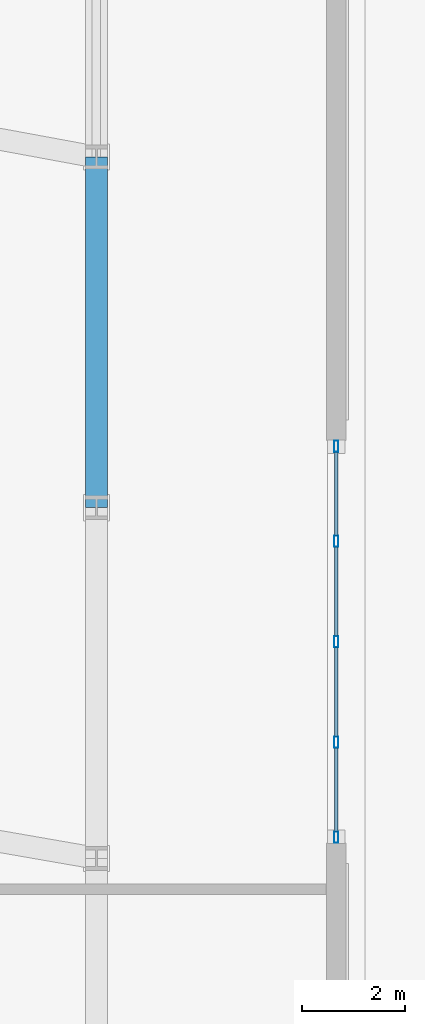
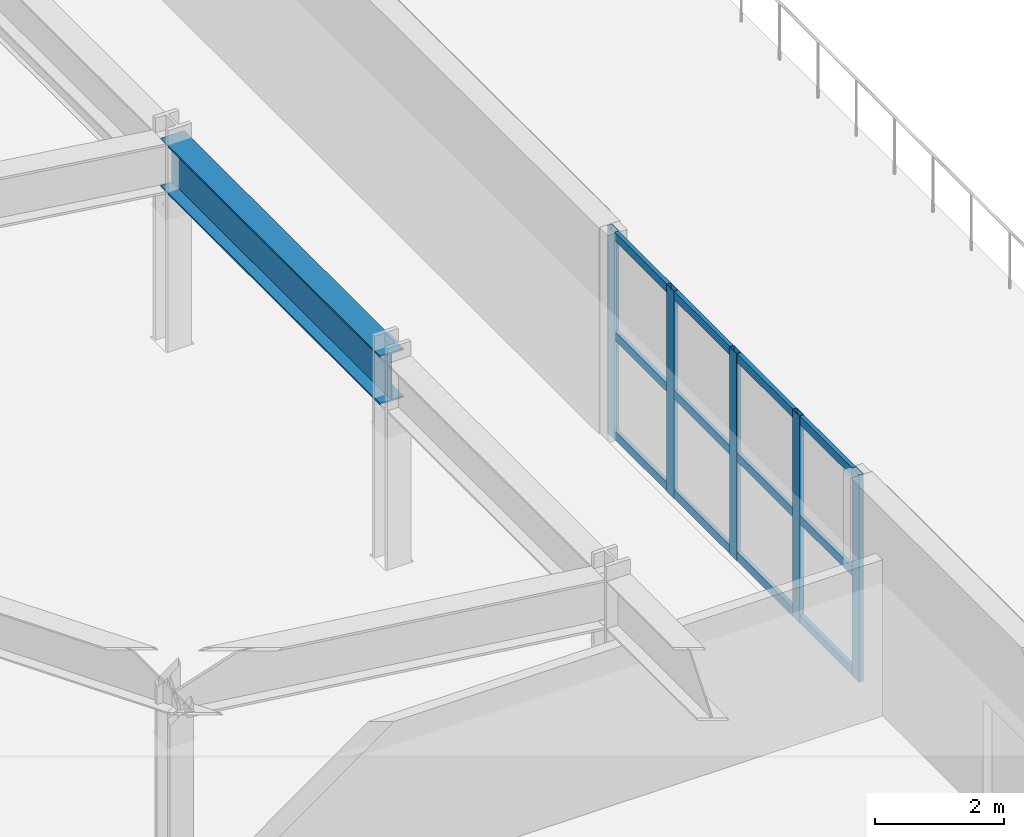
# One storey, part 6 of 16: 17 members, 1 beam, 1 element without a shape of its own.
"""IFC4 building model written with IfcOpenShell, lengths in metres."""

from ifc_helpers import new_model, si_unit, direction, frame, origin, origin_2d, place, context, subcontext, project, spatial, hollow_rectangle, i_section, extrude, material, layer, layer_set, material_profile, profile_set, type_object, element, aggregate, save


model = new_model("IFC4")

# Units and contexts
model_context = context("Model", 3, precision=1e-05, world=origin(), true_north=direction((0.0, 1.0)))
body_context = subcontext(model_context, "Body", "Model", "MODEL_VIEW")
ifc_project = project(units=[si_unit("LENGTHUNIT", "METRE"), si_unit("AREAUNIT", "SQUARE_METRE"), si_unit("VOLUMEUNIT", "CUBIC_METRE"), si_unit("PLANEANGLEUNIT", "RADIAN"), si_unit("MASSUNIT", "GRAM", prefix="KILO")], contexts=[model_context])

# Site, building, storey
site_placement = place(None, origin())
site = spatial("IfcSite", under=ifc_project, at=site_placement, CompositionType="ELEMENT")
building_placement = place(site_placement, origin())
building = spatial("IfcBuilding", under=site, at=building_placement, Name="Oramaril Tower", CompositionType="ELEMENT")
storey_placement = place(building_placement, frame((0.0, 0.0, 9.89990234375)))
storey = spatial("IfcBuildingStorey", under=building, at=storey_placement, Name="L02", CompositionType="ELEMENT", Elevation=9.89990234375)

# Beam
ifc_material_1 = material(Name="Steel ASTM A572 Gr 50", Category="steel")
ifc_material_profile_1 = material_profile(ifc_material_1, i_section(OverallWidth=0.4189453125, OverallDepth=0.927001953125, WebThickness=0.019287109375, FlangeThickness=0.031982421875, at=origin_2d()), Name="W36X231")
ifc_profile_set_1 = profile_set([ifc_material_profile_1], Name="Steel ASTM A572 Gr 50")
beam_type = type_object("IfcBeamType", Name="BT-PG2", PredefinedType="BEAM", material=ifc_profile_set_1)
beam_placement = place(storey_placement, frame((66.39990234375, 25.39990234375, 3.45654296875), z_axis=(0.0, 1.0, 0.0), x_axis=(-1.0, 0.0, 0.0)))
element("IfcBeam", 1, at=beam_placement, inside=storey, type_object=beam_type, Name="L02 Podium Perimeter Girder 10", PredefinedType="BEAM", context=body_context, shape_type="SweptSolid", body=[
    extrude(i_section(OverallWidth=0.4189453125, OverallDepth=0.927001953125, WebThickness=0.019287109375, FlangeThickness=0.031982421875, at=origin_2d()), origin(), (0.0, 0.0, 1.0), 6.800048828125),
])

# Curtain wall, members
ifc_material_2 = material(Name="Anodised Aluminium 6063-T6", Category="aluminium")
ifc_layer = layer(ifc_material_2, 0.219970703125)
ifc_layer_set = layer_set([ifc_layer], Name="CWT-SYS1")
curtain_wall_type = type_object("IfcCurtainWallType", Name="CWT-SYS1", PredefinedType="NOTDEFINED", material=ifc_layer_set)
curtain_wall_placement = place(storey_placement, origin())
curtain_wall = element("IfcCurtainWall", 2, at=curtain_wall_placement, inside=storey, type_object=curtain_wall_type, Name="L02 Unitised Curtain Wall CW-1", PredefinedType="NOTDEFINED")
ifc_material_3 = material(Name="Anodised Aluminium 6063-T6", Category="aluminium")
ifc_material_profile_2 = material_profile(ifc_material_3, hollow_rectangle(XDim=0.080078125, YDim=0.219970703125, WallThickness=0.00390625, at=origin_2d()), Name="CWM220X80")
ifc_profile_set_2 = profile_set([ifc_material_profile_2], Name="Anodised Aluminium 6063-T6")
member_type_1 = type_object("IfcMemberType", Name="MT-CWM1", PredefinedType="MULLION", material=ifc_profile_set_2)
member_1_placement = place(storey_placement, frame((71.050048828125, 19.010009765625, 0.0), z_axis=(0.0, 0.0, 1.0), x_axis=(-1.0, 0.0, 0.0)))
member_1 = element("IfcMember", 3, at=member_1_placement, type_object=member_type_1, Name="CW-1 mullion 1", PredefinedType="MULLION", context=body_context, shape_type="SweptSolid", body=[
    extrude(hollow_rectangle(XDim=0.080078125, YDim=0.219970703125, WallThickness=0.00390625, at=origin_2d()), origin(), (0.0, 0.0, 1.0), 3.920166015625),
])
member_2_placement = place(storey_placement, frame((71.050048828125, 20.85009765625, 0.0), z_axis=(0.0, 0.0, 1.0), x_axis=(-1.0, 0.0, 0.0)))
member_2 = element("IfcMember", 4, at=member_2_placement, type_object=member_type_1, Name="CW-1 mullion 2", PredefinedType="MULLION", context=body_context, shape_type="SweptSolid", body=[
    extrude(hollow_rectangle(XDim=0.080078125, YDim=0.219970703125, WallThickness=0.00390625, at=origin_2d()), origin(), (0.0, 0.0, 1.0), 3.920166015625),
])
member_3_placement = place(storey_placement, frame((71.050048828125, 22.800048828125, 0.0), z_axis=(0.0, 0.0, 1.0), x_axis=(-1.0, 0.0, 0.0)))
member_3 = element("IfcMember", 5, at=member_3_placement, type_object=member_type_1, Name="CW-1 mullion 3", PredefinedType="MULLION", context=body_context, shape_type="SweptSolid", body=[
    extrude(hollow_rectangle(XDim=0.080078125, YDim=0.219970703125, WallThickness=0.00390625, at=origin_2d()), origin(), (0.0, 0.0, 1.0), 3.920166015625),
])
member_4_placement = place(storey_placement, frame((71.050048828125, 24.75, 0.0), z_axis=(0.0, 0.0, 1.0), x_axis=(-1.0, 0.0, 0.0)))
member_4 = element("IfcMember", 6, at=member_4_placement, type_object=member_type_1, Name="CW-1 mullion 4", PredefinedType="MULLION", context=body_context, shape_type="SweptSolid", body=[
    extrude(hollow_rectangle(XDim=0.080078125, YDim=0.219970703125, WallThickness=0.00390625, at=origin_2d()), origin(), (0.0, 0.0, 1.0), 3.920166015625),
])
member_5_placement = place(storey_placement, frame((71.050048828125, 26.590087890625, 0.0), z_axis=(0.0, 0.0, 1.0), x_axis=(-1.0, 0.0, 0.0)))
member_5 = element("IfcMember", 7, at=member_5_placement, type_object=member_type_1, Name="CW-1 mullion 5", PredefinedType="MULLION", context=body_context, shape_type="SweptSolid", body=[
    extrude(hollow_rectangle(XDim=0.080078125, YDim=0.219970703125, WallThickness=0.00390625, at=origin_2d()), origin(), (0.0, 0.0, 1.0), 3.920166015625),
])
ifc_material_4 = material(Name="Anodised Aluminium 6063-T6", Category="aluminium")
ifc_material_profile_3 = material_profile(ifc_material_4, hollow_rectangle(XDim=0.070068359375, YDim=0.159912109375, WallThickness=0.00390625, at=origin_2d()), Name="CWT160X70")
ifc_profile_set_3 = profile_set([ifc_material_profile_3], Name="Anodised Aluminium 6063-T6")
member_type_2 = type_object("IfcMemberType", Name="MT-CWT1", PredefinedType="USERDEFINED", material=ifc_profile_set_3)
member_6_placement = place(storey_placement, frame((71.050048828125, 19.1201171875, 0.080078125), z_axis=(0.0, 1.0, 0.0), x_axis=(-1.0, 0.0, 0.0)))
member_6 = element("IfcMember", 8, at=member_6_placement, type_object=member_type_2, Name="CW-1 transom 1.1", ObjectType="TRANSOM", PredefinedType="USERDEFINED", context=body_context, shape_type="SweptSolid", body=[
    extrude(hollow_rectangle(XDim=0.070068359375, YDim=0.159912109375, WallThickness=0.00390625, at=origin_2d()), origin(), (0.0, 0.0, 1.0), 1.619873046875),
])
member_7_placement = place(storey_placement, frame((71.050048828125, 19.1201171875, 1.960205078125), z_axis=(0.0, 1.0, 0.0), x_axis=(-1.0, 0.0, 0.0)))
member_7 = element("IfcMember", 9, at=member_7_placement, type_object=member_type_2, Name="CW-1 transom 1.2", ObjectType="TRANSOM", PredefinedType="USERDEFINED", context=body_context, shape_type="SweptSolid", body=[
    extrude(hollow_rectangle(XDim=0.070068359375, YDim=0.159912109375, WallThickness=0.00390625, at=origin_2d()), origin(), (0.0, 0.0, 1.0), 1.619873046875),
])
member_8_placement = place(storey_placement, frame((71.050048828125, 19.1201171875, 3.840087890625), z_axis=(0.0, 1.0, 0.0), x_axis=(-1.0, 0.0, 0.0)))
member_8 = element("IfcMember", 10, at=member_8_placement, type_object=member_type_2, Name="CW-1 transom 1.3", ObjectType="TRANSOM", PredefinedType="USERDEFINED", context=body_context, shape_type="SweptSolid", body=[
    extrude(hollow_rectangle(XDim=0.070068359375, YDim=0.159912109375, WallThickness=0.00390625, at=origin_2d()), origin(), (0.0, 0.0, 1.0), 1.619873046875),
])
member_9_placement = place(storey_placement, frame((71.050048828125, 20.9599609375, 0.080078125), z_axis=(0.0, 1.0, 0.0), x_axis=(-1.0, 0.0, 0.0)))
member_9 = element("IfcMember", 11, at=member_9_placement, type_object=member_type_2, Name="CW-1 transom 2.1", ObjectType="TRANSOM", PredefinedType="USERDEFINED", context=body_context, shape_type="SweptSolid", body=[
    extrude(hollow_rectangle(XDim=0.070068359375, YDim=0.159912109375, WallThickness=0.00390625, at=origin_2d()), origin(), (0.0, 0.0, 1.0), 1.72998046875),
])
member_10_placement = place(storey_placement, frame((71.050048828125, 20.9599609375, 1.960205078125), z_axis=(0.0, 1.0, 0.0), x_axis=(-1.0, 0.0, 0.0)))
member_10 = element("IfcMember", 12, at=member_10_placement, type_object=member_type_2, Name="CW-1 transom 2.2", ObjectType="TRANSOM", PredefinedType="USERDEFINED", context=body_context, shape_type="SweptSolid", body=[
    extrude(hollow_rectangle(XDim=0.070068359375, YDim=0.159912109375, WallThickness=0.00390625, at=origin_2d()), origin(), (0.0, 0.0, 1.0), 1.72998046875),
])
member_11_placement = place(storey_placement, frame((71.050048828125, 20.9599609375, 3.840087890625), z_axis=(0.0, 1.0, 0.0), x_axis=(-1.0, 0.0, 0.0)))
member_11 = element("IfcMember", 13, at=member_11_placement, type_object=member_type_2, Name="CW-1 transom 2.3", ObjectType="TRANSOM", PredefinedType="USERDEFINED", context=body_context, shape_type="SweptSolid", body=[
    extrude(hollow_rectangle(XDim=0.070068359375, YDim=0.159912109375, WallThickness=0.00390625, at=origin_2d()), origin(), (0.0, 0.0, 1.0), 1.72998046875),
])
member_12_placement = place(storey_placement, frame((71.050048828125, 22.909912109375, 0.080078125), z_axis=(0.0, 1.0, 0.0), x_axis=(-1.0, 0.0, 0.0)))
member_12 = element("IfcMember", 14, at=member_12_placement, type_object=member_type_2, Name="CW-1 transom 3.1", ObjectType="TRANSOM", PredefinedType="USERDEFINED", context=body_context, shape_type="SweptSolid", body=[
    extrude(hollow_rectangle(XDim=0.070068359375, YDim=0.159912109375, WallThickness=0.00390625, at=origin_2d()), origin(), (0.0, 0.0, 1.0), 1.72998046875),
])
member_13_placement = place(storey_placement, frame((71.050048828125, 22.909912109375, 1.960205078125), z_axis=(0.0, 1.0, 0.0), x_axis=(-1.0, 0.0, 0.0)))
member_13 = element("IfcMember", 15, at=member_13_placement, type_object=member_type_2, Name="CW-1 transom 3.2", ObjectType="TRANSOM", PredefinedType="USERDEFINED", context=body_context, shape_type="SweptSolid", body=[
    extrude(hollow_rectangle(XDim=0.070068359375, YDim=0.159912109375, WallThickness=0.00390625, at=origin_2d()), origin(), (0.0, 0.0, 1.0), 1.72998046875),
])
member_14_placement = place(storey_placement, frame((71.050048828125, 22.909912109375, 3.840087890625), z_axis=(0.0, 1.0, 0.0), x_axis=(-1.0, 0.0, 0.0)))
member_14 = element("IfcMember", 16, at=member_14_placement, type_object=member_type_2, Name="CW-1 transom 3.3", ObjectType="TRANSOM", PredefinedType="USERDEFINED", context=body_context, shape_type="SweptSolid", body=[
    extrude(hollow_rectangle(XDim=0.070068359375, YDim=0.159912109375, WallThickness=0.00390625, at=origin_2d()), origin(), (0.0, 0.0, 1.0), 1.72998046875),
])
member_15_placement = place(storey_placement, frame((71.050048828125, 24.860107421875, 0.080078125), z_axis=(0.0, 1.0, 0.0), x_axis=(-1.0, 0.0, 0.0)))
member_15 = element("IfcMember", 17, at=member_15_placement, type_object=member_type_2, Name="CW-1 transom 4.1", ObjectType="TRANSOM", PredefinedType="USERDEFINED", context=body_context, shape_type="SweptSolid", body=[
    extrude(hollow_rectangle(XDim=0.070068359375, YDim=0.159912109375, WallThickness=0.00390625, at=origin_2d()), origin(), (0.0, 0.0, 1.0), 1.619873046875),
])
member_16_placement = place(storey_placement, frame((71.050048828125, 24.860107421875, 1.960205078125), z_axis=(0.0, 1.0, 0.0), x_axis=(-1.0, 0.0, 0.0)))
member_16 = element("IfcMember", 18, at=member_16_placement, type_object=member_type_2, Name="CW-1 transom 4.2", ObjectType="TRANSOM", PredefinedType="USERDEFINED", context=body_context, shape_type="SweptSolid", body=[
    extrude(hollow_rectangle(XDim=0.070068359375, YDim=0.159912109375, WallThickness=0.00390625, at=origin_2d()), origin(), (0.0, 0.0, 1.0), 1.619873046875),
])
member_17_placement = place(storey_placement, frame((71.050048828125, 24.860107421875, 3.840087890625), z_axis=(0.0, 1.0, 0.0), x_axis=(-1.0, 0.0, 0.0)))
member_17 = element("IfcMember", 19, at=member_17_placement, type_object=member_type_2, Name="CW-1 transom 4.3", ObjectType="TRANSOM", PredefinedType="USERDEFINED", context=body_context, shape_type="SweptSolid", body=[
    extrude(hollow_rectangle(XDim=0.070068359375, YDim=0.159912109375, WallThickness=0.00390625, at=origin_2d()), origin(), (0.0, 0.0, 1.0), 1.619873046875),
])
aggregate(curtain_wall, [member_1, member_2, member_3, member_4, member_5, member_6, member_7, member_8, member_9, member_10, member_11, member_12, member_13, member_14, member_15, member_16, member_17])

save(model, "model.ifc")
